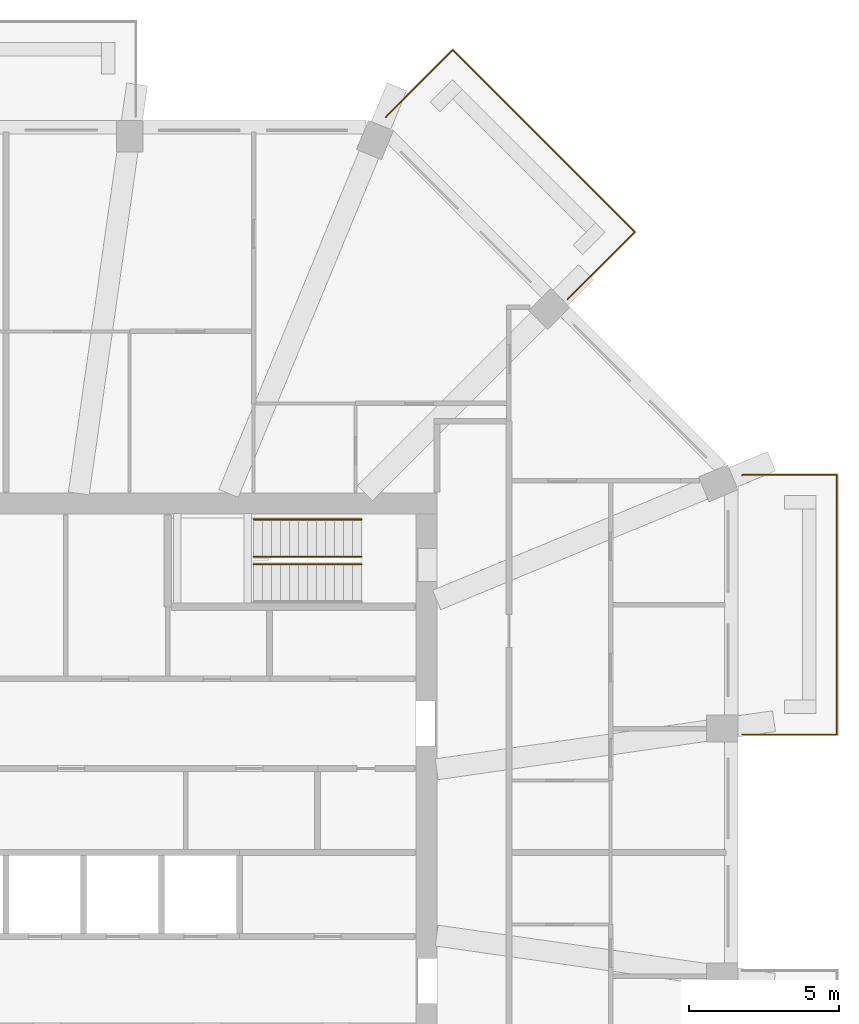
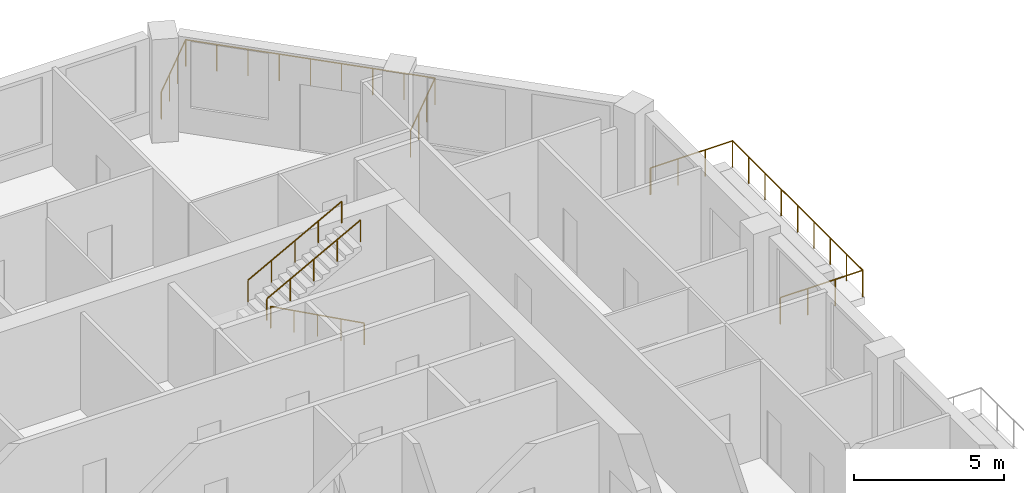
# One storey, part 12 of 12: 5 railings.
"""IFC4 building model written with IfcOpenShell, lengths in metres."""

from ifc_helpers import new_model, si_unit, direction, frame, origin, origin_2d, place, context, subcontext, project, spatial, circle, extrude, material, constituent, constituent_set, type_object, element, save


model = new_model("IFC4")

# Units and contexts
model_context = context("Model", 3, precision=1e-05, world=origin(), true_north=direction((0.0, 1.0)))
body_context = subcontext(model_context, "Body", "Model", "MODEL_VIEW")
ifc_project = project(units=[si_unit("LENGTHUNIT", "METRE"), si_unit("AREAUNIT", "SQUARE_METRE"), si_unit("VOLUMEUNIT", "CUBIC_METRE"), si_unit("PLANEANGLEUNIT", "RADIAN"), si_unit("MASSUNIT", "GRAM", prefix="KILO")], contexts=[model_context])

# Site, building, storey
site_placement = place(None, origin())
site = spatial("IfcSite", under=ifc_project, at=site_placement, CompositionType="ELEMENT")
building_placement = place(site_placement, origin())
building = spatial("IfcBuilding", under=site, at=building_placement, Name="Msitu Wima Residences", CompositionType="ELEMENT")
storey_placement = place(building_placement, frame((0.0, 0.0, 162.300048828125)))
storey = spatial("IfcBuildingStorey", under=building, at=storey_placement, Name="L37", CompositionType="ELEMENT", Elevation=162.300048828125)

# Railings
ifc_material_1 = material(Name="Steel S355", Category="steel")
ifc_constituent_1 = constituent(ifc_material_1, Name="Steel S355")
ifc_material_2 = material(Name="Weathering patina")
ifc_constituent_2 = constituent(ifc_material_2, Name="Weathering patina")
ifc_constituent_set_1 = constituent_set(constituents=[ifc_constituent_1, ifc_constituent_2], Name="Steel S355")
railing_type_1 = type_object("IfcRailingType", Name="Balcony guard GR1100", PredefinedType="GUARDRAIL", material=ifc_constituent_set_1)
railing_1_placement = place(storey_placement, frame((24.580078125, 12.597900390625, 0.0)))
element("IfcRailing", 1, at=railing_1_placement, inside=storey, type_object=railing_type_1, Name="Balcony guard E2 L37", PredefinedType="GUARDRAIL", context=body_context, shape_type="SweptSolid", body=[
    extrude(circle(Radius=0.02392578125, at=origin_2d()), frame((0.0, 0.0, 1.076171875), z_axis=(0.923276184907, 0.384136806859, 0.0), x_axis=(-0.384136806859, 0.923276184907, 0.0)), (0.0, 0.0, 1.0), 0.0361328125),
    extrude(circle(Radius=0.02392578125, at=origin_2d()), frame((0.033447265625, 0.013916015625, 1.076171875), z_axis=(1.0, 0.0, 0.0), x_axis=(0.0, 1.0, 0.0)), (0.0, 0.0, 1.0), 3.136474609375),
    extrude(circle(Radius=0.02392578125, at=origin_2d()), frame((3.169921875, 0.013916015625, 1.076171875), z_axis=(0.0, -1.0, 0.0), x_axis=(1.0, 0.0, 0.0)), (0.0, 0.0, 1.0), 8.674560546875),
    extrude(circle(Radius=0.02392578125, at=origin_2d()), frame((3.169921875, -8.66064453125, 1.076171875), z_axis=(-1.0, 0.0, 0.0), x_axis=(0.0, -1.0, 0.0)), (0.0, 0.0, 1.0), 3.169921875),
    extrude(circle(Radius=0.02099609375, at=origin_2d()), origin(), (0.0, 0.0, 1.0), 1.052001953125),
    extrude(circle(Radius=0.02099609375, at=origin_2d()), frame((0.033447265625, 0.013916015625, 0.0)), (0.0, 0.0, 1.0), 1.052001953125),
    extrude(circle(Radius=0.02099609375, at=origin_2d()), frame((1.078857421875, 0.013916015625, 0.0)), (0.0, 0.0, 1.0), 1.052001953125),
    extrude(circle(Radius=0.02099609375, at=origin_2d()), frame((2.12451171875, 0.013916015625, 0.0)), (0.0, 0.0, 1.0), 1.052001953125),
    extrude(circle(Radius=0.02099609375, at=origin_2d()), frame((3.169921875, 0.013916015625, 0.0)), (0.0, 0.0, 1.0), 1.052001953125),
    extrude(circle(Radius=0.02099609375, at=origin_2d()), frame((3.169921875, -1.0703125, 0.0)), (0.0, 0.0, 1.0), 1.052001953125),
    extrude(circle(Radius=0.02099609375, at=origin_2d()), frame((3.169921875, -2.15478515625, 0.0)), (0.0, 0.0, 1.0), 1.052001953125),
    extrude(circle(Radius=0.02099609375, at=origin_2d()), frame((3.169921875, -3.239013671875, 0.0)), (0.0, 0.0, 1.0), 1.052001953125),
    extrude(circle(Radius=0.02099609375, at=origin_2d()), frame((3.169921875, -4.3232421875, 0.0)), (0.0, 0.0, 1.0), 1.052001953125),
    extrude(circle(Radius=0.02099609375, at=origin_2d()), frame((3.169921875, -5.40771484375, 0.0)), (0.0, 0.0, 1.0), 1.052001953125),
    extrude(circle(Radius=0.02099609375, at=origin_2d()), frame((3.169921875, -6.491943359375, 0.0)), (0.0, 0.0, 1.0), 1.052001953125),
    extrude(circle(Radius=0.02099609375, at=origin_2d()), frame((3.169921875, -7.576416015625, 0.0)), (0.0, 0.0, 1.0), 1.052001953125),
    extrude(circle(Radius=0.02099609375, at=origin_2d()), frame((3.169921875, -8.66064453125, 0.0)), (0.0, 0.0, 1.0), 1.052001953125),
    extrude(circle(Radius=0.02099609375, at=origin_2d()), frame((2.11328125, -8.66064453125, 0.0)), (0.0, 0.0, 1.0), 1.052001953125),
    extrude(circle(Radius=0.02099609375, at=origin_2d()), frame((1.056640625, -8.66064453125, 0.0)), (0.0, 0.0, 1.0), 1.052001953125),
    extrude(circle(Radius=0.02099609375, at=origin_2d()), frame((0.0, -8.66064453125, 0.0)), (0.0, 0.0, 1.0), 1.052001953125),
])
railing_2_placement = place(storey_placement, frame((12.690185546875, 24.541748046875, 0.0)))
element("IfcRailing", 2, at=railing_2_placement, inside=storey, type_object=railing_type_1, Name="Balcony guard NE1 L37", PredefinedType="GUARDRAIL", context=body_context, shape_type="SweptSolid", body=[
    extrude(circle(Radius=0.02392578125, at=origin_2d()), frame((0.0, 0.0, 1.076171875), z_axis=(0.384136806859, 0.923276184907, 0.0), x_axis=(-0.923276184907, 0.384136806859, 0.0)), (0.0, 0.0, 1.0), 0.0361328125),
    extrude(circle(Radius=0.02392578125, at=origin_2d()), frame((0.013916015625, 0.033447265625, 1.076171875), z_axis=(0.707145698426, 0.707067861805, 0.0), x_axis=(-0.707067861805, 0.707145698426, 0.0)), (0.0, 0.0, 1.0), 3.136474609375),
    extrude(circle(Radius=0.02392578125, at=origin_2d()), frame((2.23193359375, 2.251220703125, 1.076171875), z_axis=(0.707106781187, -0.707106781187, 0.0), x_axis=(0.707106781187, 0.707106781187, 0.0)), (0.0, 0.0, 1.0), 8.593994140625),
    extrude(circle(Radius=0.02392578125, at=origin_2d()), frame((8.308837890625, -3.82568359375, 1.076171875), z_axis=(-0.707145287287, -0.707068272989, 0.0), x_axis=(0.707068272989, -0.707145287287, 0.0)), (0.0, 0.0, 1.0), 3.170166015625),
    extrude(circle(Radius=0.02099609375, at=origin_2d()), origin(), (0.0, 0.0, 1.0), 1.052001953125),
    extrude(circle(Radius=0.02099609375, at=origin_2d()), frame((0.013916015625, 0.033447265625, 0.0)), (0.0, 0.0, 1.0), 1.052001953125),
    extrude(circle(Radius=0.02099609375, at=origin_2d()), frame((0.753173828125, 0.772705078125, 0.0)), (0.0, 0.0, 1.0), 1.052001953125),
    extrude(circle(Radius=0.02099609375, at=origin_2d()), frame((1.49267578125, 1.511962890625, 0.0)), (0.0, 0.0, 1.0), 1.052001953125),
    extrude(circle(Radius=0.02099609375, at=origin_2d()), frame((2.23193359375, 2.251220703125, 0.0)), (0.0, 0.0, 1.0), 1.052001953125),
    extrude(circle(Radius=0.02099609375, at=origin_2d()), frame((2.991455078125, 1.49169921875, 0.0)), (0.0, 0.0, 1.0), 1.052001953125),
    extrude(circle(Radius=0.02099609375, at=origin_2d()), frame((3.751220703125, 0.73193359375, 0.0)), (0.0, 0.0, 1.0), 1.052001953125),
    extrude(circle(Radius=0.02099609375, at=origin_2d()), frame((4.5107421875, -0.027587890625, 0.0)), (0.0, 0.0, 1.0), 1.052001953125),
    extrude(circle(Radius=0.02099609375, at=origin_2d()), frame((5.2705078125, -0.787109375, 0.0)), (0.0, 0.0, 1.0), 1.052001953125),
    extrude(circle(Radius=0.02099609375, at=origin_2d()), frame((6.030029296875, -1.546875, 0.0)), (0.0, 0.0, 1.0), 1.052001953125),
    extrude(circle(Radius=0.02099609375, at=origin_2d()), frame((6.78955078125, -2.306396484375, 0.0)), (0.0, 0.0, 1.0), 1.052001953125),
    extrude(circle(Radius=0.02099609375, at=origin_2d()), frame((7.54931640625, -3.066162109375, 0.0)), (0.0, 0.0, 1.0), 1.052001953125),
    extrude(circle(Radius=0.02099609375, at=origin_2d()), frame((8.308837890625, -3.82568359375, 0.0)), (0.0, 0.0, 1.0), 1.052001953125),
    extrude(circle(Radius=0.02099609375, at=origin_2d()), frame((7.5615234375, -4.57275390625, 0.0)), (0.0, 0.0, 1.0), 1.052001953125),
    extrude(circle(Radius=0.02099609375, at=origin_2d()), frame((6.814453125, -5.320068359375, 0.0)), (0.0, 0.0, 1.0), 1.052001953125),
    extrude(circle(Radius=0.02099609375, at=origin_2d()), frame((6.067138671875, -6.067138671875, 0.0)), (0.0, 0.0, 1.0), 1.052001953125),
])
ifc_constituent_3 = constituent(ifc_material_1, Name="Steel S355")
ifc_material_3 = material(Name="Black powder coating")
ifc_constituent_4 = constituent(ifc_material_3, Name="Black powder coating")
ifc_constituent_set_2 = constituent_set(constituents=[ifc_constituent_3, ifc_constituent_4], Name="Steel S355")
railing_type_2 = type_object("IfcRailingType", Name="Stair handrail HR1", PredefinedType="HANDRAIL", material=ifc_constituent_set_2)
railing_3_placement = place(storey_placement, frame((11.875, 9.625, 0.161376953125)))
element("IfcRailing", 3, at=railing_3_placement, inside=storey, type_object=railing_type_2, Name="Stair 3 handrail", PredefinedType="HANDRAIL", context=body_context, shape_type="SweptSolid", body=[
    extrude(circle(Radius=0.02392578125, at=origin_2d()), frame((0.0, 0.0, 0.8759765625), z_axis=(-0.880474934443, 0.0, 0.474092701714), x_axis=(0.0, -1.0, 0.0)), (0.0, 0.0, 1.0), 4.0888671875),
    extrude(circle(Radius=0.02099609375, at=origin_2d()), origin(), (0.0, 0.0, 1.0), 0.851806640625),
    extrude(circle(Radius=0.02099609375, at=origin_2d()), frame((-0.89990234375, 0.0, 0.484619140625)), (0.0, 0.0, 1.0), 0.851806640625),
    extrude(circle(Radius=0.02099609375, at=origin_2d()), frame((-1.800048828125, 0.0, 0.96923828125)), (0.0, 0.0, 1.0), 0.851806640625),
    extrude(circle(Radius=0.02099609375, at=origin_2d()), frame((-2.7001953125, 0.0, 1.453857421875)), (0.0, 0.0, 1.0), 0.851806640625),
    extrude(circle(Radius=0.02099609375, at=origin_2d()), frame((-3.60009765625, 0.0, 1.9384765625)), (0.0, 0.0, 1.0), 0.851806640625),
])
for number, where, name in (
    (4, (8.27490234375, 9.875, 2.261474609375), "Stair 3 handrail"),
    (5, (8.27490234375, 11.125, 2.261474609375), "Stair 3 handrail"),
):
    element("IfcRailing", number, at=place(storey_placement, frame(where)), inside=storey, type_object=railing_type_2, Name=name, PredefinedType="HANDRAIL", context=body_context, shape_type="SweptSolid", body=[
        extrude(circle(Radius=0.02392578125, at=origin_2d()), frame((0.0, 0.0, 0.8759765625), z_axis=(0.880474934443, 0.0, 0.474092701714), x_axis=(0.0, 1.0, 0.0)), (0.0, 0.0, 1.0), 4.0888671875),
        extrude(circle(Radius=0.02099609375, at=origin_2d()), origin(), (0.0, 0.0, 1.0), 0.851806640625),
        extrude(circle(Radius=0.02099609375, at=origin_2d()), frame((0.89990234375, 0.0, 0.484619140625)), (0.0, 0.0, 1.0), 0.851806640625),
        extrude(circle(Radius=0.02099609375, at=origin_2d()), frame((1.800048828125, 0.0, 0.96923828125)), (0.0, 0.0, 1.0), 0.851806640625),
        extrude(circle(Radius=0.02099609375, at=origin_2d()), frame((2.7001953125, 0.0, 1.453857421875)), (0.0, 0.0, 1.0), 0.851806640625),
        extrude(circle(Radius=0.02099609375, at=origin_2d()), frame((3.60009765625, 0.0, 1.9384765625)), (0.0, 0.0, 1.0), 0.851806640625),
    ])

save(model, "model.ifc")
